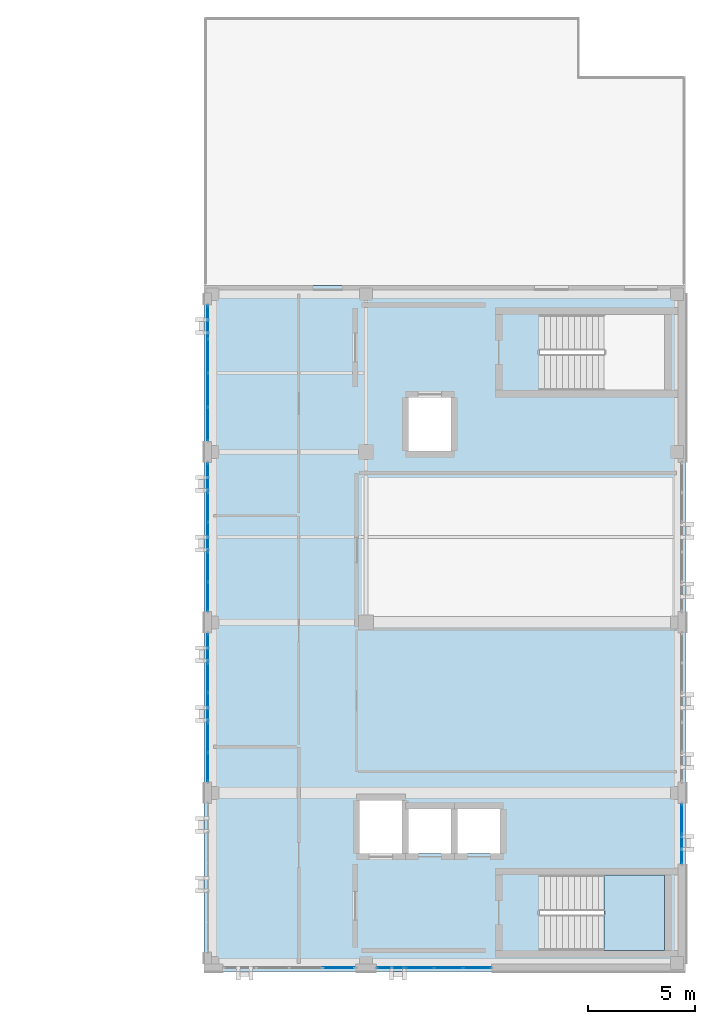
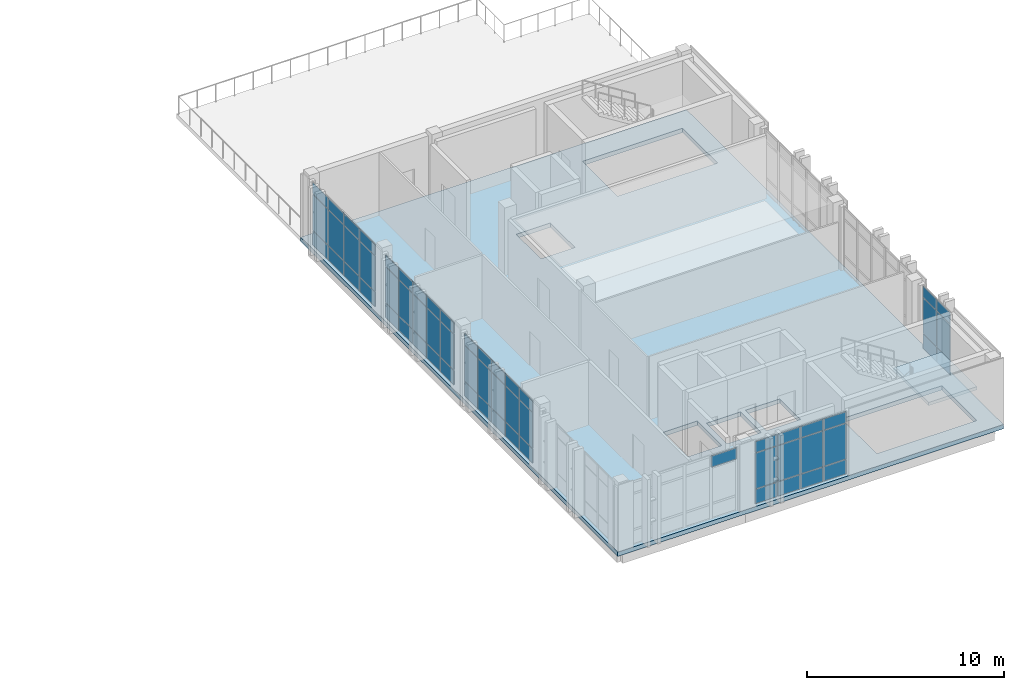
# One storey, part 34 of 48: 61 plates, 2 slabs, 7 elements without a shape of their own.
"""IFC4 building model written with IfcOpenShell, lengths in metres."""

from ifc_helpers import new_model, si_unit, direction, frame, origin, origin_2d, place, context, subcontext, project, spatial, polyline, rectangle, outline, extrude, material, layer, layer_set, type_object, element, aggregate, save


model = new_model("IFC4")

# Units and contexts
model_context = context("Model", 3, precision=1e-05, world=origin(), true_north=direction((0.0, 1.0)))
body_context = subcontext(model_context, "Body", "Model", "MODEL_VIEW")
ifc_project = project(units=[si_unit("LENGTHUNIT", "METRE"), si_unit("AREAUNIT", "SQUARE_METRE"), si_unit("VOLUMEUNIT", "CUBIC_METRE"), si_unit("PLANEANGLEUNIT", "RADIAN"), si_unit("MASSUNIT", "GRAM", prefix="KILO")], contexts=[model_context])

# Site, building, storey
site_placement = place(None, origin())
site = spatial("IfcSite", under=ifc_project, at=site_placement, CompositionType="ELEMENT")
building_placement = place(site_placement, origin())
building = spatial("IfcBuilding", under=site, at=building_placement, Name="Qalavern Law Courts", CompositionType="ELEMENT")
storey_placement = place(building_placement, frame((0.0, 0.0, 31.199951171875)))
storey = spatial("IfcBuildingStorey", under=building, at=storey_placement, Name="L07", CompositionType="ELEMENT", Elevation=31.199951171875)

# Curtain wall, plate
ifc_material_1 = material(Name="Anodised aluminium and insulated glazing", Category="aluminium")
ifc_layer_1 = layer(ifc_material_1, 0.159912109375)
ifc_layer_set_1 = layer_set([ifc_layer_1], Name="Anodised aluminium and insulated glazing")
curtain_wall_type = type_object("IfcCurtainWallType", Name="ENV-CW-CHAMB", PredefinedType="USERDEFINED", material=ifc_layer_set_1)
curtain_wall_1_placement = place(storey_placement, origin())
curtain_wall_1 = element("IfcCurtainWall", 1, at=curtain_wall_1_placement, inside=storey, type_object=curtain_wall_type, Name="V4 unitised curtain wall L07 south 1", ObjectType="UNITISED CURTAIN WALL", PredefinedType="USERDEFINED")
ifc_material_2 = material(Name="Insulated low-E acoustic glazing", Category="glass")
ifc_layer_2 = layer(ifc_material_2, 0.035888671875)
ifc_layer_set_2 = layer_set([ifc_layer_2], Name="Insulated low-E acoustic glazing")
plate_type_1 = type_object("IfcPlateType", Name="ENV-CWP-36", PredefinedType="CURTAIN_PANEL", material=ifc_layer_set_2)
plate_1_placement = place(storey_placement, frame((90.512939453125, 41.197509765625, 3.2138671875), z_axis=(0.0, 0.0, 1.0), x_axis=(1.0, 0.0, 0.0)))
plate_1 = element("IfcPlate", 2, at=plate_1_placement, type_object=plate_type_1, Name="CW-04 panel 4.3", PredefinedType="CURTAIN_PANEL", context=body_context, shape_type="SweptSolid", body=[
    extrude(rectangle(XDim=1.47802734375, YDim=0.035888671875, at=origin_2d()), origin(), (0.0, 0.0, 1.0), 0.677978515625),
])
aggregate(curtain_wall_1, [plate_1])

# Curtain wall, plates
curtain_wall_2_placement = place(storey_placement, origin())
curtain_wall_2 = element("IfcCurtainWall", 3, at=curtain_wall_2_placement, inside=storey, type_object=curtain_wall_type, Name="V4 unitised curtain wall L07 east 1", ObjectType="UNITISED CURTAIN WALL", PredefinedType="USERDEFINED")
plate_2_placement = place(storey_placement, frame((106.62255859375, 46.7744140625, 0.048095703125), z_axis=(0.0, 0.0, 1.0), x_axis=(0.0, 1.0, 0.0)))
plate_2 = element("IfcPlate", 4, at=plate_2_placement, type_object=plate_type_1, Name="CW-04 panel 1.1", PredefinedType="CURTAIN_PANEL", context=body_context, shape_type="SweptSolid", body=[
    extrude(rectangle(XDim=1.35302734375, YDim=0.035888671875, at=origin_2d()), origin(), (0.0, 0.0, 1.0), 0.8779296875),
])
plate_3_placement = place(storey_placement, frame((106.62255859375, 46.7744140625, 0.97412109375), z_axis=(0.0, 0.0, 1.0), x_axis=(0.0, 1.0, 0.0)))
plate_3 = element("IfcPlate", 5, at=plate_3_placement, type_object=plate_type_1, Name="CW-04 panel 1.2", PredefinedType="CURTAIN_PANEL", context=body_context, shape_type="SweptSolid", body=[
    extrude(rectangle(XDim=1.35302734375, YDim=0.035888671875, at=origin_2d()), origin(), (0.0, 0.0, 1.0), 2.19189453125),
])
plate_4_placement = place(storey_placement, frame((106.62255859375, 46.7744140625, 3.2138671875), z_axis=(0.0, 0.0, 1.0), x_axis=(0.0, 1.0, 0.0)))
plate_4 = element("IfcPlate", 6, at=plate_4_placement, type_object=plate_type_1, Name="CW-04 panel 1.3", PredefinedType="CURTAIN_PANEL", context=body_context, shape_type="SweptSolid", body=[
    extrude(rectangle(XDim=1.35302734375, YDim=0.035888671875, at=origin_2d()), origin(), (0.0, 0.0, 1.0), 0.677978515625),
])
plate_5_placement = place(storey_placement, frame((106.62255859375, 48.175537109375, 0.048095703125), z_axis=(0.0, 0.0, 1.0), x_axis=(0.0, 1.0, 0.0)))
plate_5 = element("IfcPlate", 7, at=plate_5_placement, type_object=plate_type_1, Name="CW-04 panel 2.1", PredefinedType="CURTAIN_PANEL", context=body_context, shape_type="SweptSolid", body=[
    extrude(rectangle(XDim=1.35302734375, YDim=0.035888671875, at=origin_2d()), origin(), (0.0, 0.0, 1.0), 0.8779296875),
])
plate_6_placement = place(storey_placement, frame((106.62255859375, 48.175537109375, 0.97412109375), z_axis=(0.0, 0.0, 1.0), x_axis=(0.0, 1.0, 0.0)))
plate_6 = element("IfcPlate", 8, at=plate_6_placement, type_object=plate_type_1, Name="CW-04 panel 2.2", PredefinedType="CURTAIN_PANEL", context=body_context, shape_type="SweptSolid", body=[
    extrude(rectangle(XDim=1.35302734375, YDim=0.035888671875, at=origin_2d()), origin(), (0.0, 0.0, 1.0), 2.19189453125),
])
plate_7_placement = place(storey_placement, frame((106.62255859375, 48.175537109375, 3.2138671875), z_axis=(0.0, 0.0, 1.0), x_axis=(0.0, 1.0, 0.0)))
plate_7 = element("IfcPlate", 9, at=plate_7_placement, type_object=plate_type_1, Name="CW-04 panel 2.3", PredefinedType="CURTAIN_PANEL", context=body_context, shape_type="SweptSolid", body=[
    extrude(rectangle(XDim=1.35302734375, YDim=0.035888671875, at=origin_2d()), origin(), (0.0, 0.0, 1.0), 0.677978515625),
])
aggregate(curtain_wall_2, [plate_2, plate_3, plate_4, plate_5, plate_6, plate_7])

curtain_wall_3_placement = place(storey_placement, origin())
curtain_wall_3 = element("IfcCurtainWall", 10, at=curtain_wall_3_placement, inside=storey, type_object=curtain_wall_type, Name="V4 unitised curtain wall L07 west 1", ObjectType="UNITISED CURTAIN WALL", PredefinedType="USERDEFINED")
plate_8_placement = place(storey_placement, frame((84.37744140625, 71.488037109375, 0.048095703125), z_axis=(0.0, 0.0, 1.0), x_axis=(0.0, -1.0, 0.0)))
plate_8 = element("IfcPlate", 11, at=plate_8_placement, type_object=plate_type_1, Name="CW-04 panel 1.1", PredefinedType="CURTAIN_PANEL", context=body_context, shape_type="SweptSolid", body=[
    extrude(rectangle(XDim=1.528076171875, YDim=0.035888671875, at=origin_2d()), origin(), (0.0, 0.0, 1.0), 0.8779296875),
])
plate_9_placement = place(storey_placement, frame((84.37744140625, 71.488037109375, 0.97412109375), z_axis=(0.0, 0.0, 1.0), x_axis=(0.0, -1.0, 0.0)))
plate_9 = element("IfcPlate", 12, at=plate_9_placement, type_object=plate_type_1, Name="CW-04 panel 1.2", PredefinedType="CURTAIN_PANEL", context=body_context, shape_type="SweptSolid", body=[
    extrude(rectangle(XDim=1.528076171875, YDim=0.035888671875, at=origin_2d()), origin(), (0.0, 0.0, 1.0), 2.19189453125),
])
plate_10_placement = place(storey_placement, frame((84.37744140625, 71.488037109375, 3.2138671875), z_axis=(0.0, 0.0, 1.0), x_axis=(0.0, -1.0, 0.0)))
plate_10 = element("IfcPlate", 13, at=plate_10_placement, type_object=plate_type_1, Name="CW-04 panel 1.3", PredefinedType="CURTAIN_PANEL", context=body_context, shape_type="SweptSolid", body=[
    extrude(rectangle(XDim=1.528076171875, YDim=0.035888671875, at=origin_2d()), origin(), (0.0, 0.0, 1.0), 0.677978515625),
])
plate_11_placement = place(storey_placement, frame((84.37744140625, 69.89990234375, 0.048095703125), z_axis=(0.0, 0.0, 1.0), x_axis=(0.0, -1.0, 0.0)))
plate_11 = element("IfcPlate", 14, at=plate_11_placement, type_object=plate_type_1, Name="CW-04 panel 2.1", PredefinedType="CURTAIN_PANEL", context=body_context, shape_type="SweptSolid", body=[
    extrude(rectangle(XDim=1.552001953125, YDim=0.035888671875, at=origin_2d()), origin(), (0.0, 0.0, 1.0), 0.8779296875),
])
plate_12_placement = place(storey_placement, frame((84.37744140625, 69.89990234375, 0.97412109375), z_axis=(0.0, 0.0, 1.0), x_axis=(0.0, -1.0, 0.0)))
plate_12 = element("IfcPlate", 15, at=plate_12_placement, type_object=plate_type_1, Name="CW-04 panel 2.2", PredefinedType="CURTAIN_PANEL", context=body_context, shape_type="SweptSolid", body=[
    extrude(rectangle(XDim=1.552001953125, YDim=0.035888671875, at=origin_2d()), origin(), (0.0, 0.0, 1.0), 2.19189453125),
])
plate_13_placement = place(storey_placement, frame((84.37744140625, 69.89990234375, 3.2138671875), z_axis=(0.0, 0.0, 1.0), x_axis=(0.0, -1.0, 0.0)))
plate_13 = element("IfcPlate", 16, at=plate_13_placement, type_object=plate_type_1, Name="CW-04 panel 2.3", PredefinedType="CURTAIN_PANEL", context=body_context, shape_type="SweptSolid", body=[
    extrude(rectangle(XDim=1.552001953125, YDim=0.035888671875, at=origin_2d()), origin(), (0.0, 0.0, 1.0), 0.677978515625),
])
plate_14_placement = place(storey_placement, frame((84.37744140625, 68.300048828125, 0.048095703125), z_axis=(0.0, 0.0, 1.0), x_axis=(0.0, -1.0, 0.0)))
plate_14 = element("IfcPlate", 17, at=plate_14_placement, type_object=plate_type_1, Name="CW-04 panel 3.1", PredefinedType="CURTAIN_PANEL", context=body_context, shape_type="SweptSolid", body=[
    extrude(rectangle(XDim=1.552001953125, YDim=0.035888671875, at=origin_2d()), origin(), (0.0, 0.0, 1.0), 0.8779296875),
])
plate_15_placement = place(storey_placement, frame((84.37744140625, 68.300048828125, 0.97412109375), z_axis=(0.0, 0.0, 1.0), x_axis=(0.0, -1.0, 0.0)))
plate_15 = element("IfcPlate", 18, at=plate_15_placement, type_object=plate_type_1, Name="CW-04 panel 3.2", PredefinedType="CURTAIN_PANEL", context=body_context, shape_type="SweptSolid", body=[
    extrude(rectangle(XDim=1.552001953125, YDim=0.035888671875, at=origin_2d()), origin(), (0.0, 0.0, 1.0), 2.19189453125),
])
plate_16_placement = place(storey_placement, frame((84.37744140625, 68.300048828125, 3.2138671875), z_axis=(0.0, 0.0, 1.0), x_axis=(0.0, -1.0, 0.0)))
plate_16 = element("IfcPlate", 19, at=plate_16_placement, type_object=plate_type_1, Name="CW-04 panel 3.3", PredefinedType="CURTAIN_PANEL", context=body_context, shape_type="SweptSolid", body=[
    extrude(rectangle(XDim=1.552001953125, YDim=0.035888671875, at=origin_2d()), origin(), (0.0, 0.0, 1.0), 0.677978515625),
])
plate_17_placement = place(storey_placement, frame((84.37744140625, 66.7119140625, 0.048095703125), z_axis=(0.0, 0.0, 1.0), x_axis=(0.0, -1.0, 0.0)))
plate_17 = element("IfcPlate", 20, at=plate_17_placement, type_object=plate_type_1, Name="CW-04 panel 4.1", PredefinedType="CURTAIN_PANEL", context=body_context, shape_type="SweptSolid", body=[
    extrude(rectangle(XDim=1.528076171875, YDim=0.035888671875, at=origin_2d()), origin(), (0.0, 0.0, 1.0), 0.8779296875),
])
plate_18_placement = place(storey_placement, frame((84.37744140625, 66.7119140625, 0.97412109375), z_axis=(0.0, 0.0, 1.0), x_axis=(0.0, -1.0, 0.0)))
plate_18 = element("IfcPlate", 21, at=plate_18_placement, type_object=plate_type_1, Name="CW-04 panel 4.2", PredefinedType="CURTAIN_PANEL", context=body_context, shape_type="SweptSolid", body=[
    extrude(rectangle(XDim=1.528076171875, YDim=0.035888671875, at=origin_2d()), origin(), (0.0, 0.0, 1.0), 2.19189453125),
])
plate_19_placement = place(storey_placement, frame((84.37744140625, 66.7119140625, 3.2138671875), z_axis=(0.0, 0.0, 1.0), x_axis=(0.0, -1.0, 0.0)))
plate_19 = element("IfcPlate", 22, at=plate_19_placement, type_object=plate_type_1, Name="CW-04 panel 4.3", PredefinedType="CURTAIN_PANEL", context=body_context, shape_type="SweptSolid", body=[
    extrude(rectangle(XDim=1.528076171875, YDim=0.035888671875, at=origin_2d()), origin(), (0.0, 0.0, 1.0), 0.677978515625),
])
aggregate(curtain_wall_3, [plate_8, plate_9, plate_10, plate_11, plate_12, plate_13, plate_14, plate_15, plate_16, plate_17, plate_18, plate_19])

curtain_wall_4_placement = place(storey_placement, origin())
curtain_wall_4 = element("IfcCurtainWall", 23, at=curtain_wall_4_placement, inside=storey, type_object=curtain_wall_type, Name="V4 unitised curtain wall L07 south 2", ObjectType="UNITISED CURTAIN WALL", PredefinedType="USERDEFINED")
ifc_layer_3 = layer(ifc_material_2, 0.0400390625)
ifc_layer_set_3 = layer_set([ifc_layer_3], Name="Insulated low-E acoustic glazing")
plate_type_2 = type_object("IfcPlateType", Name="ENV-CWP-40", PredefinedType="CURTAIN_PANEL", material=ifc_layer_set_3)
plate_20_placement = place(storey_placement, frame((92.987060546875, 41.197509765625, 0.048095703125), z_axis=(0.0, 0.0, 1.0), x_axis=(1.0, 0.0, 0.0)))
plate_20 = element("IfcPlate", 24, at=plate_20_placement, type_object=plate_type_2, Name="CW-04 panel 1.1", PredefinedType="CURTAIN_PANEL", context=body_context, shape_type="SweptSolid", body=[
    extrude(rectangle(XDim=1.278076171875, YDim=0.0400390625, at=origin_2d()), origin(), (0.0, 0.0, 1.0), 0.8779296875),
])
plate_21_placement = place(storey_placement, frame((92.987060546875, 41.197509765625, 0.97412109375), z_axis=(0.0, 0.0, 1.0), x_axis=(1.0, 0.0, 0.0)))
plate_21 = element("IfcPlate", 25, at=plate_21_placement, type_object=plate_type_2, Name="CW-04 panel 1.2", PredefinedType="CURTAIN_PANEL", context=body_context, shape_type="SweptSolid", body=[
    extrude(rectangle(XDim=1.278076171875, YDim=0.0400390625, at=origin_2d()), origin(), (0.0, 0.0, 1.0), 2.19189453125),
])
plate_22_placement = place(storey_placement, frame((92.987060546875, 41.197509765625, 3.2138671875), z_axis=(0.0, 0.0, 1.0), x_axis=(1.0, 0.0, 0.0)))
plate_22 = element("IfcPlate", 26, at=plate_22_placement, type_object=plate_type_2, Name="CW-04 panel 1.3", PredefinedType="CURTAIN_PANEL", context=body_context, shape_type="SweptSolid", body=[
    extrude(rectangle(XDim=1.278076171875, YDim=0.0400390625, at=origin_2d()), origin(), (0.0, 0.0, 1.0), 0.677978515625),
])
plate_23_placement = place(storey_placement, frame((94.324951171875, 41.197509765625, 0.048095703125), z_axis=(0.0, 0.0, 1.0), x_axis=(1.0, 0.0, 0.0)))
plate_23 = element("IfcPlate", 27, at=plate_23_placement, type_object=plate_type_2, Name="CW-04 panel 2.1", PredefinedType="CURTAIN_PANEL", context=body_context, shape_type="SweptSolid", body=[
    extrude(rectangle(XDim=1.302001953125, YDim=0.0400390625, at=origin_2d()), origin(), (0.0, 0.0, 1.0), 0.8779296875),
])
plate_24_placement = place(storey_placement, frame((94.324951171875, 41.197509765625, 0.97412109375), z_axis=(0.0, 0.0, 1.0), x_axis=(1.0, 0.0, 0.0)))
plate_24 = element("IfcPlate", 28, at=plate_24_placement, type_object=plate_type_2, Name="CW-04 panel 2.2", PredefinedType="CURTAIN_PANEL", context=body_context, shape_type="SweptSolid", body=[
    extrude(rectangle(XDim=1.302001953125, YDim=0.0400390625, at=origin_2d()), origin(), (0.0, 0.0, 1.0), 2.19189453125),
])
plate_25_placement = place(storey_placement, frame((94.324951171875, 41.197509765625, 3.2138671875), z_axis=(0.0, 0.0, 1.0), x_axis=(1.0, 0.0, 0.0)))
plate_25 = element("IfcPlate", 29, at=plate_25_placement, type_object=plate_type_2, Name="CW-04 panel 2.3", PredefinedType="CURTAIN_PANEL", context=body_context, shape_type="SweptSolid", body=[
    extrude(rectangle(XDim=1.302001953125, YDim=0.0400390625, at=origin_2d()), origin(), (0.0, 0.0, 1.0), 0.677978515625),
])
plate_26_placement = place(storey_placement, frame((95.675048828125, 41.197509765625, 0.048095703125), z_axis=(0.0, 0.0, 1.0), x_axis=(1.0, 0.0, 0.0)))
plate_26 = element("IfcPlate", 30, at=plate_26_placement, type_object=plate_type_2, Name="CW-04 panel 3.1", PredefinedType="CURTAIN_PANEL", context=body_context, shape_type="SweptSolid", body=[
    extrude(rectangle(XDim=1.302001953125, YDim=0.0400390625, at=origin_2d()), origin(), (0.0, 0.0, 1.0), 0.8779296875),
])
plate_27_placement = place(storey_placement, frame((95.675048828125, 41.197509765625, 0.97412109375), z_axis=(0.0, 0.0, 1.0), x_axis=(1.0, 0.0, 0.0)))
plate_27 = element("IfcPlate", 31, at=plate_27_placement, type_object=plate_type_2, Name="CW-04 panel 3.2", PredefinedType="CURTAIN_PANEL", context=body_context, shape_type="SweptSolid", body=[
    extrude(rectangle(XDim=1.302001953125, YDim=0.0400390625, at=origin_2d()), origin(), (0.0, 0.0, 1.0), 2.19189453125),
])
plate_28_placement = place(storey_placement, frame((95.675048828125, 41.197509765625, 3.2138671875), z_axis=(0.0, 0.0, 1.0), x_axis=(1.0, 0.0, 0.0)))
plate_28 = element("IfcPlate", 32, at=plate_28_placement, type_object=plate_type_2, Name="CW-04 panel 3.3", PredefinedType="CURTAIN_PANEL", context=body_context, shape_type="SweptSolid", body=[
    extrude(rectangle(XDim=1.302001953125, YDim=0.0400390625, at=origin_2d()), origin(), (0.0, 0.0, 1.0), 0.677978515625),
])
plate_29_placement = place(storey_placement, frame((97.012939453125, 41.197509765625, 0.048095703125), z_axis=(0.0, 0.0, 1.0), x_axis=(1.0, 0.0, 0.0)))
plate_29 = element("IfcPlate", 33, at=plate_29_placement, type_object=plate_type_2, Name="CW-04 panel 4.1", PredefinedType="CURTAIN_PANEL", context=body_context, shape_type="SweptSolid", body=[
    extrude(rectangle(XDim=1.278076171875, YDim=0.0400390625, at=origin_2d()), origin(), (0.0, 0.0, 1.0), 0.8779296875),
])
plate_30_placement = place(storey_placement, frame((97.012939453125, 41.197509765625, 0.97412109375), z_axis=(0.0, 0.0, 1.0), x_axis=(1.0, 0.0, 0.0)))
plate_30 = element("IfcPlate", 34, at=plate_30_placement, type_object=plate_type_2, Name="CW-04 panel 4.2", PredefinedType="CURTAIN_PANEL", context=body_context, shape_type="SweptSolid", body=[
    extrude(rectangle(XDim=1.278076171875, YDim=0.0400390625, at=origin_2d()), origin(), (0.0, 0.0, 1.0), 2.19189453125),
])
plate_31_placement = place(storey_placement, frame((97.012939453125, 41.197509765625, 3.2138671875), z_axis=(0.0, 0.0, 1.0), x_axis=(1.0, 0.0, 0.0)))
plate_31 = element("IfcPlate", 35, at=plate_31_placement, type_object=plate_type_2, Name="CW-04 panel 4.3", PredefinedType="CURTAIN_PANEL", context=body_context, shape_type="SweptSolid", body=[
    extrude(rectangle(XDim=1.278076171875, YDim=0.0400390625, at=origin_2d()), origin(), (0.0, 0.0, 1.0), 0.677978515625),
])
aggregate(curtain_wall_4, [plate_20, plate_21, plate_22, plate_23, plate_24, plate_25, plate_26, plate_27, plate_28, plate_29, plate_30, plate_31])

curtain_wall_5_placement = place(storey_placement, origin())
curtain_wall_5 = element("IfcCurtainWall", 36, at=curtain_wall_5_placement, inside=storey, type_object=curtain_wall_type, Name="V4 unitised curtain wall L07 west 2", ObjectType="UNITISED CURTAIN WALL", PredefinedType="USERDEFINED")
plate_32_placement = place(storey_placement, frame((84.37744140625, 64.18798828125, 0.048095703125), z_axis=(0.0, 0.0, 1.0), x_axis=(0.0, -1.0, 0.0)))
plate_32 = element("IfcPlate", 37, at=plate_32_placement, type_object=plate_type_2, Name="CW-04 panel 1.1", PredefinedType="CURTAIN_PANEL", context=body_context, shape_type="SweptSolid", body=[
    extrude(rectangle(XDim=1.327880859375, YDim=0.0400390625, at=origin_2d()), origin(), (0.0, 0.0, 1.0), 0.8779296875),
])
plate_33_placement = place(storey_placement, frame((84.37744140625, 64.18798828125, 0.97412109375), z_axis=(0.0, 0.0, 1.0), x_axis=(0.0, -1.0, 0.0)))
plate_33 = element("IfcPlate", 38, at=plate_33_placement, type_object=plate_type_2, Name="CW-04 panel 1.2", PredefinedType="CURTAIN_PANEL", context=body_context, shape_type="SweptSolid", body=[
    extrude(rectangle(XDim=1.327880859375, YDim=0.0400390625, at=origin_2d()), origin(), (0.0, 0.0, 1.0), 2.19189453125),
])
plate_34_placement = place(storey_placement, frame((84.37744140625, 64.18798828125, 3.2138671875), z_axis=(0.0, 0.0, 1.0), x_axis=(0.0, -1.0, 0.0)))
plate_34 = element("IfcPlate", 39, at=plate_34_placement, type_object=plate_type_2, Name="CW-04 panel 1.3", PredefinedType="CURTAIN_PANEL", context=body_context, shape_type="SweptSolid", body=[
    extrude(rectangle(XDim=1.327880859375, YDim=0.0400390625, at=origin_2d()), origin(), (0.0, 0.0, 1.0), 0.677978515625),
])
plate_35_placement = place(storey_placement, frame((84.37744140625, 62.800048828125, 0.048095703125), z_axis=(0.0, 0.0, 1.0), x_axis=(0.0, -1.0, 0.0)))
plate_35 = element("IfcPlate", 40, at=plate_35_placement, type_object=plate_type_2, Name="CW-04 panel 2.1", PredefinedType="CURTAIN_PANEL", context=body_context, shape_type="SweptSolid", body=[
    extrude(rectangle(XDim=1.35205078125, YDim=0.0400390625, at=origin_2d()), origin(), (0.0, 0.0, 1.0), 0.8779296875),
])
plate_36_placement = place(storey_placement, frame((84.37744140625, 62.800048828125, 0.97412109375), z_axis=(0.0, 0.0, 1.0), x_axis=(0.0, -1.0, 0.0)))
plate_36 = element("IfcPlate", 41, at=plate_36_placement, type_object=plate_type_2, Name="CW-04 panel 2.2", PredefinedType="CURTAIN_PANEL", context=body_context, shape_type="SweptSolid", body=[
    extrude(rectangle(XDim=1.35205078125, YDim=0.0400390625, at=origin_2d()), origin(), (0.0, 0.0, 1.0), 2.19189453125),
])
plate_37_placement = place(storey_placement, frame((84.37744140625, 62.800048828125, 3.2138671875), z_axis=(0.0, 0.0, 1.0), x_axis=(0.0, -1.0, 0.0)))
plate_37 = element("IfcPlate", 42, at=plate_37_placement, type_object=plate_type_2, Name="CW-04 panel 2.3", PredefinedType="CURTAIN_PANEL", context=body_context, shape_type="SweptSolid", body=[
    extrude(rectangle(XDim=1.35205078125, YDim=0.0400390625, at=origin_2d()), origin(), (0.0, 0.0, 1.0), 0.677978515625),
])
plate_38_placement = place(storey_placement, frame((84.37744140625, 61.39990234375, 0.048095703125), z_axis=(0.0, 0.0, 1.0), x_axis=(0.0, -1.0, 0.0)))
plate_38 = element("IfcPlate", 43, at=plate_38_placement, type_object=plate_type_2, Name="CW-04 panel 3.1", PredefinedType="CURTAIN_PANEL", context=body_context, shape_type="SweptSolid", body=[
    extrude(rectangle(XDim=1.35205078125, YDim=0.0400390625, at=origin_2d()), origin(), (0.0, 0.0, 1.0), 0.8779296875),
])
plate_39_placement = place(storey_placement, frame((84.37744140625, 61.39990234375, 0.97412109375), z_axis=(0.0, 0.0, 1.0), x_axis=(0.0, -1.0, 0.0)))
plate_39 = element("IfcPlate", 44, at=plate_39_placement, type_object=plate_type_2, Name="CW-04 panel 3.2", PredefinedType="CURTAIN_PANEL", context=body_context, shape_type="SweptSolid", body=[
    extrude(rectangle(XDim=1.35205078125, YDim=0.0400390625, at=origin_2d()), origin(), (0.0, 0.0, 1.0), 2.19189453125),
])
plate_40_placement = place(storey_placement, frame((84.37744140625, 61.39990234375, 3.2138671875), z_axis=(0.0, 0.0, 1.0), x_axis=(0.0, -1.0, 0.0)))
plate_40 = element("IfcPlate", 45, at=plate_40_placement, type_object=plate_type_2, Name="CW-04 panel 3.3", PredefinedType="CURTAIN_PANEL", context=body_context, shape_type="SweptSolid", body=[
    extrude(rectangle(XDim=1.35205078125, YDim=0.0400390625, at=origin_2d()), origin(), (0.0, 0.0, 1.0), 0.677978515625),
])
plate_41_placement = place(storey_placement, frame((84.37744140625, 60.0, 0.048095703125), z_axis=(0.0, 0.0, 1.0), x_axis=(0.0, -1.0, 0.0)))
plate_41 = element("IfcPlate", 46, at=plate_41_placement, type_object=plate_type_2, Name="CW-04 panel 4.1", PredefinedType="CURTAIN_PANEL", context=body_context, shape_type="SweptSolid", body=[
    extrude(rectangle(XDim=1.35205078125, YDim=0.0400390625, at=origin_2d()), origin(), (0.0, 0.0, 1.0), 0.8779296875),
])
plate_42_placement = place(storey_placement, frame((84.37744140625, 60.0, 0.97412109375), z_axis=(0.0, 0.0, 1.0), x_axis=(0.0, -1.0, 0.0)))
plate_42 = element("IfcPlate", 47, at=plate_42_placement, type_object=plate_type_2, Name="CW-04 panel 4.2", PredefinedType="CURTAIN_PANEL", context=body_context, shape_type="SweptSolid", body=[
    extrude(rectangle(XDim=1.35205078125, YDim=0.0400390625, at=origin_2d()), origin(), (0.0, 0.0, 1.0), 2.19189453125),
])
plate_43_placement = place(storey_placement, frame((84.37744140625, 60.0, 3.2138671875), z_axis=(0.0, 0.0, 1.0), x_axis=(0.0, -1.0, 0.0)))
plate_43 = element("IfcPlate", 48, at=plate_43_placement, type_object=plate_type_2, Name="CW-04 panel 4.3", PredefinedType="CURTAIN_PANEL", context=body_context, shape_type="SweptSolid", body=[
    extrude(rectangle(XDim=1.35205078125, YDim=0.0400390625, at=origin_2d()), origin(), (0.0, 0.0, 1.0), 0.677978515625),
])
plate_44_placement = place(storey_placement, frame((84.37744140625, 58.612060546875, 0.048095703125), z_axis=(0.0, 0.0, 1.0), x_axis=(0.0, -1.0, 0.0)))
plate_44 = element("IfcPlate", 49, at=plate_44_placement, type_object=plate_type_2, Name="CW-04 panel 5.1", PredefinedType="CURTAIN_PANEL", context=body_context, shape_type="SweptSolid", body=[
    extrude(rectangle(XDim=1.327880859375, YDim=0.0400390625, at=origin_2d()), origin(), (0.0, 0.0, 1.0), 0.8779296875),
])
plate_45_placement = place(storey_placement, frame((84.37744140625, 58.612060546875, 0.97412109375), z_axis=(0.0, 0.0, 1.0), x_axis=(0.0, -1.0, 0.0)))
plate_45 = element("IfcPlate", 50, at=plate_45_placement, type_object=plate_type_2, Name="CW-04 panel 5.2", PredefinedType="CURTAIN_PANEL", context=body_context, shape_type="SweptSolid", body=[
    extrude(rectangle(XDim=1.327880859375, YDim=0.0400390625, at=origin_2d()), origin(), (0.0, 0.0, 1.0), 2.19189453125),
])
plate_46_placement = place(storey_placement, frame((84.37744140625, 58.612060546875, 3.2138671875), z_axis=(0.0, 0.0, 1.0), x_axis=(0.0, -1.0, 0.0)))
plate_46 = element("IfcPlate", 51, at=plate_46_placement, type_object=plate_type_2, Name="CW-04 panel 5.3", PredefinedType="CURTAIN_PANEL", context=body_context, shape_type="SweptSolid", body=[
    extrude(rectangle(XDim=1.327880859375, YDim=0.0400390625, at=origin_2d()), origin(), (0.0, 0.0, 1.0), 0.677978515625),
])
aggregate(curtain_wall_5, [plate_32, plate_33, plate_34, plate_35, plate_36, plate_37, plate_38, plate_39, plate_40, plate_41, plate_42, plate_43, plate_44, plate_45, plate_46])

curtain_wall_6_placement = place(storey_placement, origin())
curtain_wall_6 = element("IfcCurtainWall", 52, at=curtain_wall_6_placement, inside=storey, type_object=curtain_wall_type, Name="V4 unitised curtain wall L07 west 3", ObjectType="UNITISED CURTAIN WALL", PredefinedType="USERDEFINED")
ifc_layer_4 = layer(ifc_material_2, 0.0439453125)
ifc_layer_set_4 = layer_set([ifc_layer_4], Name="Insulated low-E acoustic glazing")
plate_type_3 = type_object("IfcPlateType", Name="ENV-CWP-44", PredefinedType="CURTAIN_PANEL", material=ifc_layer_set_4)
plate_47_placement = place(storey_placement, frame((84.37744140625, 56.18798828125, 0.048095703125), z_axis=(0.0, 0.0, 1.0), x_axis=(0.0, -1.0, 0.0)))
plate_47 = element("IfcPlate", 53, at=plate_47_placement, type_object=plate_type_3, Name="CW-04 panel 1.1", PredefinedType="CURTAIN_PANEL", context=body_context, shape_type="SweptSolid", body=[
    extrude(rectangle(XDim=1.327880859375, YDim=0.0439453125, at=origin_2d()), origin(), (0.0, 0.0, 1.0), 0.8779296875),
])
plate_48_placement = place(storey_placement, frame((84.37744140625, 56.18798828125, 0.97412109375), z_axis=(0.0, 0.0, 1.0), x_axis=(0.0, -1.0, 0.0)))
plate_48 = element("IfcPlate", 54, at=plate_48_placement, type_object=plate_type_3, Name="CW-04 panel 1.2", PredefinedType="CURTAIN_PANEL", context=body_context, shape_type="SweptSolid", body=[
    extrude(rectangle(XDim=1.327880859375, YDim=0.0439453125, at=origin_2d()), origin(), (0.0, 0.0, 1.0), 2.19189453125),
])
plate_49_placement = place(storey_placement, frame((84.37744140625, 56.18798828125, 3.2138671875), z_axis=(0.0, 0.0, 1.0), x_axis=(0.0, -1.0, 0.0)))
plate_49 = element("IfcPlate", 55, at=plate_49_placement, type_object=plate_type_3, Name="CW-04 panel 1.3", PredefinedType="CURTAIN_PANEL", context=body_context, shape_type="SweptSolid", body=[
    extrude(rectangle(XDim=1.327880859375, YDim=0.0439453125, at=origin_2d()), origin(), (0.0, 0.0, 1.0), 0.677978515625),
])
plate_50_placement = place(storey_placement, frame((84.37744140625, 54.800048828125, 0.048095703125), z_axis=(0.0, 0.0, 1.0), x_axis=(0.0, -1.0, 0.0)))
plate_50 = element("IfcPlate", 56, at=plate_50_placement, type_object=plate_type_3, Name="CW-04 panel 2.1", PredefinedType="CURTAIN_PANEL", context=body_context, shape_type="SweptSolid", body=[
    extrude(rectangle(XDim=1.35205078125, YDim=0.0439453125, at=origin_2d()), origin(), (0.0, 0.0, 1.0), 0.8779296875),
])
plate_51_placement = place(storey_placement, frame((84.37744140625, 54.800048828125, 0.97412109375), z_axis=(0.0, 0.0, 1.0), x_axis=(0.0, -1.0, 0.0)))
plate_51 = element("IfcPlate", 57, at=plate_51_placement, type_object=plate_type_3, Name="CW-04 panel 2.2", PredefinedType="CURTAIN_PANEL", context=body_context, shape_type="SweptSolid", body=[
    extrude(rectangle(XDim=1.35205078125, YDim=0.0439453125, at=origin_2d()), origin(), (0.0, 0.0, 1.0), 2.19189453125),
])
plate_52_placement = place(storey_placement, frame((84.37744140625, 54.800048828125, 3.2138671875), z_axis=(0.0, 0.0, 1.0), x_axis=(0.0, -1.0, 0.0)))
plate_52 = element("IfcPlate", 58, at=plate_52_placement, type_object=plate_type_3, Name="CW-04 panel 2.3", PredefinedType="CURTAIN_PANEL", context=body_context, shape_type="SweptSolid", body=[
    extrude(rectangle(XDim=1.35205078125, YDim=0.0439453125, at=origin_2d()), origin(), (0.0, 0.0, 1.0), 0.677978515625),
])
plate_53_placement = place(storey_placement, frame((84.37744140625, 53.39990234375, 0.048095703125), z_axis=(0.0, 0.0, 1.0), x_axis=(0.0, -1.0, 0.0)))
plate_53 = element("IfcPlate", 59, at=plate_53_placement, type_object=plate_type_3, Name="CW-04 panel 3.1", PredefinedType="CURTAIN_PANEL", context=body_context, shape_type="SweptSolid", body=[
    extrude(rectangle(XDim=1.35205078125, YDim=0.0439453125, at=origin_2d()), origin(), (0.0, 0.0, 1.0), 0.8779296875),
])
plate_54_placement = place(storey_placement, frame((84.37744140625, 53.39990234375, 0.97412109375), z_axis=(0.0, 0.0, 1.0), x_axis=(0.0, -1.0, 0.0)))
plate_54 = element("IfcPlate", 60, at=plate_54_placement, type_object=plate_type_3, Name="CW-04 panel 3.2", PredefinedType="CURTAIN_PANEL", context=body_context, shape_type="SweptSolid", body=[
    extrude(rectangle(XDim=1.35205078125, YDim=0.0439453125, at=origin_2d()), origin(), (0.0, 0.0, 1.0), 2.19189453125),
])
plate_55_placement = place(storey_placement, frame((84.37744140625, 53.39990234375, 3.2138671875), z_axis=(0.0, 0.0, 1.0), x_axis=(0.0, -1.0, 0.0)))
plate_55 = element("IfcPlate", 61, at=plate_55_placement, type_object=plate_type_3, Name="CW-04 panel 3.3", PredefinedType="CURTAIN_PANEL", context=body_context, shape_type="SweptSolid", body=[
    extrude(rectangle(XDim=1.35205078125, YDim=0.0439453125, at=origin_2d()), origin(), (0.0, 0.0, 1.0), 0.677978515625),
])
plate_56_placement = place(storey_placement, frame((84.37744140625, 52.0, 0.048095703125), z_axis=(0.0, 0.0, 1.0), x_axis=(0.0, -1.0, 0.0)))
plate_56 = element("IfcPlate", 62, at=plate_56_placement, type_object=plate_type_3, Name="CW-04 panel 4.1", PredefinedType="CURTAIN_PANEL", context=body_context, shape_type="SweptSolid", body=[
    extrude(rectangle(XDim=1.35205078125, YDim=0.0439453125, at=origin_2d()), origin(), (0.0, 0.0, 1.0), 0.8779296875),
])
plate_57_placement = place(storey_placement, frame((84.37744140625, 52.0, 0.97412109375), z_axis=(0.0, 0.0, 1.0), x_axis=(0.0, -1.0, 0.0)))
plate_57 = element("IfcPlate", 63, at=plate_57_placement, type_object=plate_type_3, Name="CW-04 panel 4.2", PredefinedType="CURTAIN_PANEL", context=body_context, shape_type="SweptSolid", body=[
    extrude(rectangle(XDim=1.35205078125, YDim=0.0439453125, at=origin_2d()), origin(), (0.0, 0.0, 1.0), 2.19189453125),
])
plate_58_placement = place(storey_placement, frame((84.37744140625, 52.0, 3.2138671875), z_axis=(0.0, 0.0, 1.0), x_axis=(0.0, -1.0, 0.0)))
plate_58 = element("IfcPlate", 64, at=plate_58_placement, type_object=plate_type_3, Name="CW-04 panel 4.3", PredefinedType="CURTAIN_PANEL", context=body_context, shape_type="SweptSolid", body=[
    extrude(rectangle(XDim=1.35205078125, YDim=0.0439453125, at=origin_2d()), origin(), (0.0, 0.0, 1.0), 0.677978515625),
])
plate_59_placement = place(storey_placement, frame((84.37744140625, 50.612060546875, 0.048095703125), z_axis=(0.0, 0.0, 1.0), x_axis=(0.0, -1.0, 0.0)))
plate_59 = element("IfcPlate", 65, at=plate_59_placement, type_object=plate_type_3, Name="CW-04 panel 5.1", PredefinedType="CURTAIN_PANEL", context=body_context, shape_type="SweptSolid", body=[
    extrude(rectangle(XDim=1.327880859375, YDim=0.0439453125, at=origin_2d()), origin(), (0.0, 0.0, 1.0), 0.8779296875),
])
plate_60_placement = place(storey_placement, frame((84.37744140625, 50.612060546875, 0.97412109375), z_axis=(0.0, 0.0, 1.0), x_axis=(0.0, -1.0, 0.0)))
plate_60 = element("IfcPlate", 66, at=plate_60_placement, type_object=plate_type_3, Name="CW-04 panel 5.2", PredefinedType="CURTAIN_PANEL", context=body_context, shape_type="SweptSolid", body=[
    extrude(rectangle(XDim=1.327880859375, YDim=0.0439453125, at=origin_2d()), origin(), (0.0, 0.0, 1.0), 2.19189453125),
])
plate_61_placement = place(storey_placement, frame((84.37744140625, 50.612060546875, 3.2138671875), z_axis=(0.0, 0.0, 1.0), x_axis=(0.0, -1.0, 0.0)))
plate_61 = element("IfcPlate", 67, at=plate_61_placement, type_object=plate_type_3, Name="CW-04 panel 5.3", PredefinedType="CURTAIN_PANEL", context=body_context, shape_type="SweptSolid", body=[
    extrude(rectangle(XDim=1.327880859375, YDim=0.0439453125, at=origin_2d()), origin(), (0.0, 0.0, 1.0), 0.677978515625),
])
aggregate(curtain_wall_6, [plate_47, plate_48, plate_49, plate_50, plate_51, plate_52, plate_53, plate_54, plate_55, plate_56, plate_57, plate_58, plate_59, plate_60, plate_61])

# Stair, slab
ifc_material_3 = material(Name="Concrete C35/45", Category="concrete")
stair_type = type_object("IfcStairType", Name="INT-STAIR-1700", PredefinedType="HALF_TURN_STAIR", material=ifc_material_3)
stair_placement = place(storey_placement, origin())
stair = element("IfcStair", 68, at=stair_placement, inside=storey, type_object=stair_type, Name="L07 ST-K1A", PredefinedType="HALF_TURN_STAIR")
ifc_layer_5 = layer(ifc_material_3, 0.199951171875)
ifc_layer_set_5 = layer_set([ifc_layer_5], Name="Concrete C35/45")
slab_type_1 = type_object("IfcSlabType", Name="INT-LANDING-200", PredefinedType="LANDING", material=ifc_layer_set_5)
slab_1_placement = place(storey_placement, frame((0.0, 0.0, 1.900146484375)))
slab_1 = element("IfcSlab", 69, at=slab_1_placement, type_object=slab_type_1, Name="ST-K1A landing 1", PredefinedType="LANDING", context=body_context, shape_type="SweptSolid", body=[
    extrude(outline(polyline([(102.97998046875, 42.0), (105.800048828125, 42.0), (105.800048828125, 45.550048828125), (102.97998046875, 45.550048828125), (102.97998046875, 42.0)])), origin(), (0.0, 0.0, 1.0), 0.199951171875),
])
aggregate(stair, [slab_1])

# Slab
ifc_layer_6 = layer(ifc_material_3, 0.264892578125)
ifc_layer_set_6 = layer_set([ifc_layer_6], Name="Concrete C35/45")
slab_type_2 = type_object("IfcSlabType", Name="STR-SLB-L07-265", PredefinedType="FLOOR", material=ifc_layer_set_6)
slab_2_placement = place(storey_placement, frame((0.0, 0.0, -0.264892578125)))
element("IfcSlab", 70, at=slab_2_placement, inside=storey, type_object=slab_type_2, Name="V4 floor slab L07", PredefinedType="FLOOR", context=body_context, shape_type="SweptSolid", body=[
    extrude(outline(polyline([(84.199951171875, 41.02001953125), (106.800048828125, 41.02001953125), (106.800048828125, 73.199951171875), (84.199951171875, 73.199951171875), (84.199951171875, 41.02001953125)]), holes=[polyline([(99.93994140625, 42.0), (105.800048828125, 42.0), (105.800048828125, 45.550048828125), (99.93994140625, 45.550048828125), (99.93994140625, 42.0)]), polyline([(91.5, 46.550048828125), (93.5, 46.550048828125), (93.5, 49.050048828125), (91.5, 49.050048828125), (91.5, 46.550048828125)]), polyline([(93.800048828125, 46.550048828125), (95.800048828125, 46.550048828125), (95.800048828125, 48.64990234375), (93.800048828125, 48.64990234375), (93.800048828125, 46.550048828125)]), polyline([(96.10009765625, 46.550048828125), (98.10009765625, 46.550048828125), (98.10009765625, 48.64990234375), (96.10009765625, 48.64990234375), (96.10009765625, 46.550048828125)]), polyline([(99.93994140625, 68.300048828125), (105.800048828125, 68.300048828125), (105.800048828125, 71.85009765625), (99.93994140625, 71.85009765625), (99.93994140625, 68.300048828125)]), polyline([(93.800048828125, 65.449951171875), (95.800048828125, 65.449951171875), (95.800048828125, 67.949951171875), (93.800048828125, 67.949951171875), (93.800048828125, 65.449951171875)])]), origin(), (0.0, 0.0, 1.0), 0.264892578125),
])

save(model, "model.ifc")
